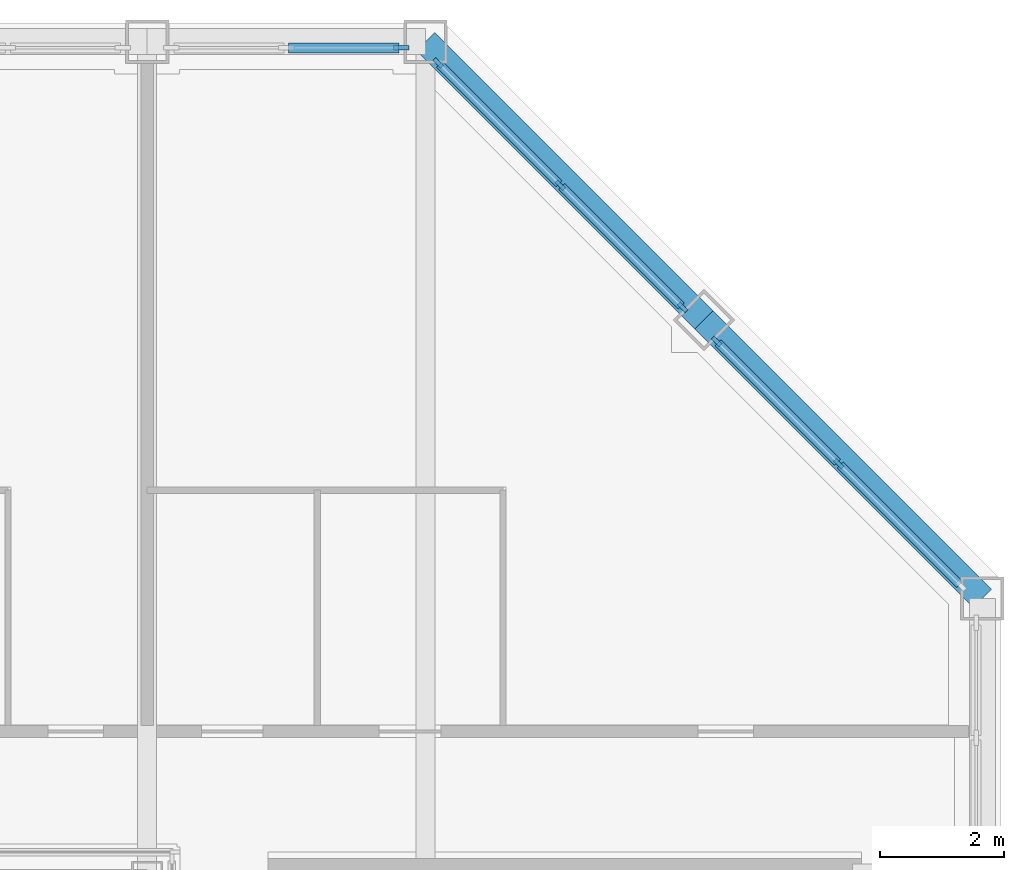
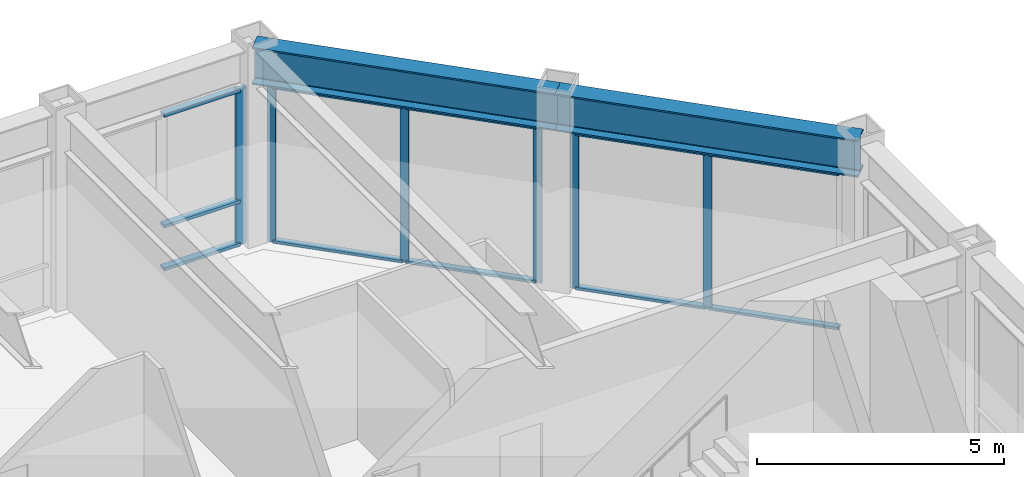
# One storey, part 8 of 15: 17 members, 2 beams, 3 elements without a shape of their own.
"""IFC4 building model written with IfcOpenShell, lengths in metres."""

from ifc_helpers import new_model, si_unit, direction, frame, origin, origin_2d, place, context, subcontext, project, spatial, rectangle, i_section, extrude, material, material_profile, profile_set, type_object, element, aggregate, save


model = new_model("IFC4")

# Units and contexts
model_context = context("Model", 3, precision=1e-05, world=origin(), true_north=direction((0.0, 1.0)))
body_context = subcontext(model_context, "Body", "Model", "MODEL_VIEW")
ifc_project = project(units=[si_unit("LENGTHUNIT", "METRE"), si_unit("AREAUNIT", "SQUARE_METRE"), si_unit("VOLUMEUNIT", "CUBIC_METRE"), si_unit("PLANEANGLEUNIT", "RADIAN"), si_unit("MASSUNIT", "GRAM", prefix="KILO")], contexts=[model_context])

# Site, building, storey
site_placement = place(None, origin())
site = spatial("IfcSite", under=ifc_project, at=site_placement, CompositionType="ELEMENT")
building_placement = place(site_placement, origin())
building = spatial("IfcBuilding", under=site, at=building_placement, Name="Msasa Ring Tower", CompositionType="ELEMENT")
storey_placement = place(building_placement, frame((0.0, 0.0, 195.800048828125)))
storey = spatial("IfcBuildingStorey", under=building, at=storey_placement, Name="L51", CompositionType="ELEMENT", Elevation=195.800048828125)

# Curtain wall, members
ifc_material_1 = material(Name="Aluminium curtain wall with clear glass", Category="aluminium")
curtain_wall_type_1 = type_object("IfcCurtainWallType", Name="CW-C CHAMFER CORNER CURTAIN WALL", PredefinedType="NOTDEFINED", material=ifc_material_1)
curtain_wall_1_placement = place(storey_placement, origin())
curtain_wall_1 = element("IfcCurtainWall", 1, at=curtain_wall_1_placement, inside=storey, type_object=curtain_wall_type_1, Name="Chamfer corner curtain wall NE L51", PredefinedType="NOTDEFINED")
ifc_material_2 = material(Name="Aluminium mullion", Category="aluminium")
ifc_material_profile_1 = material_profile(ifc_material_2, rectangle(XDim=0.06494140625, YDim=0.179931640625, at=origin_2d()), Name="AL 65x180")
ifc_profile_set_1 = profile_set([ifc_material_profile_1], Name="Aluminium mullion")
member_type_1 = type_object("IfcMemberType", Name="CW-C MULLION 65x180", PredefinedType="MULLION", material=ifc_profile_set_1)
member_1_placement = place(storey_placement, frame((15.4052734375, 15.953369140625, 0.0), z_axis=(0.0, 0.0, 1.0), x_axis=(-0.707106781187, -0.707106781187, 0.0)))
member_1 = element("IfcMember", 2, at=member_1_placement, type_object=member_type_1, Name="CW-C mullion 1", PredefinedType="MULLION", context=body_context, shape_type="SweptSolid", body=[
    extrude(rectangle(XDim=0.06494140625, YDim=0.179931640625, at=origin_2d()), origin(), (0.0, 0.0, 1.0), 3.87890625),
])
member_2_placement = place(storey_placement, frame((13.42919921875, 17.92919921875, 0.0), z_axis=(0.0, 0.0, 1.0), x_axis=(-0.707106781187, -0.707106781187, 0.0)))
member_2 = element("IfcMember", 3, at=member_2_placement, type_object=member_type_1, Name="CW-C mullion 2", PredefinedType="MULLION", context=body_context, shape_type="SweptSolid", body=[
    extrude(rectangle(XDim=0.06494140625, YDim=0.179931640625, at=origin_2d()), origin(), (0.0, 0.0, 1.0), 3.87890625),
])
member_3_placement = place(storey_placement, frame((11.453369140625, 19.9052734375, 0.0), z_axis=(0.0, 0.0, 1.0), x_axis=(-0.707106781187, -0.707106781187, 0.0)))
member_3 = element("IfcMember", 4, at=member_3_placement, type_object=member_type_1, Name="CW-C mullion 3", PredefinedType="MULLION", context=body_context, shape_type="SweptSolid", body=[
    extrude(rectangle(XDim=0.06494140625, YDim=0.179931640625, at=origin_2d()), origin(), (0.0, 0.0, 1.0), 3.87890625),
])

curtain_wall_2_placement = place(storey_placement, origin())
curtain_wall_2 = element("IfcCurtainWall", 5, at=curtain_wall_2_placement, inside=storey, type_object=curtain_wall_type_1, Name="Chamfer corner curtain wall NE L51", PredefinedType="NOTDEFINED")
member_4_placement = place(storey_placement, frame((17.92919921875, 13.42919921875, 0.0), z_axis=(0.0, 0.0, 1.0), x_axis=(-0.707106781187, -0.707106781187, 0.0)))
member_4 = element("IfcMember", 6, at=member_4_placement, type_object=member_type_1, Name="CW-C mullion 2", PredefinedType="MULLION", context=body_context, shape_type="SweptSolid", body=[
    extrude(rectangle(XDim=0.06494140625, YDim=0.179931640625, at=origin_2d()), origin(), (0.0, 0.0, 1.0), 3.87890625),
])
member_5_placement = place(storey_placement, frame((15.953369140625, 15.4052734375, 0.0), z_axis=(0.0, 0.0, 1.0), x_axis=(-0.707106781187, -0.707106781187, 0.0)))
member_5 = element("IfcMember", 7, at=member_5_placement, type_object=member_type_1, Name="CW-C mullion 3", PredefinedType="MULLION", context=body_context, shape_type="SweptSolid", body=[
    extrude(rectangle(XDim=0.06494140625, YDim=0.179931640625, at=origin_2d()), origin(), (0.0, 0.0, 1.0), 3.87890625),
])

# Member
ifc_material_3 = material(Name="Aluminium transom", Category="aluminium")
ifc_material_profile_2 = material_profile(ifc_material_3, rectangle(XDim=0.139892578125, YDim=0.06494140625, at=origin_2d()), Name="AL 65x140")
ifc_profile_set_2 = profile_set([ifc_material_profile_2], Name="Aluminium transom")
member_type_2 = type_object("IfcMemberType", Name="CW-C TRANSOM 65x140", PredefinedType="USERDEFINED", material=ifc_profile_set_2)
member_6_placement = place(storey_placement, frame((15.38232421875, 15.976318359375, 0.032470703125), z_axis=(-0.707106781187, 0.707106781187, 0.0), x_axis=(-0.707106781187, -0.707106781187, 0.0)))
member_6 = element("IfcMember", 8, at=member_6_placement, type_object=member_type_2, Name="CW-C transom 1.1", ObjectType="TRANSOM", PredefinedType="USERDEFINED", context=body_context, shape_type="SweptSolid", body=[
    extrude(rectangle(XDim=0.139892578125, YDim=0.06494140625, at=origin_2d()), origin(), (0.0, 0.0, 1.0), 2.729248046875),
])

member_7_placement = place(storey_placement, frame((15.38232421875, 15.976318359375, 3.846435546875), z_axis=(-0.707106781187, 0.707106781187, 0.0), x_axis=(-0.707106781187, -0.707106781187, 0.0)))
member_7 = element("IfcMember", 9, at=member_7_placement, type_object=member_type_2, Name="CW-C transom 1.2", ObjectType="TRANSOM", PredefinedType="USERDEFINED", context=body_context, shape_type="SweptSolid", body=[
    extrude(rectangle(XDim=0.139892578125, YDim=0.06494140625, at=origin_2d()), origin(), (0.0, 0.0, 1.0), 2.729248046875),
])

member_8_placement = place(storey_placement, frame((13.40625, 17.952392578125, 0.032470703125), z_axis=(-0.707106781187, 0.707106781187, 0.0), x_axis=(-0.707106781187, -0.707106781187, 0.0)))
member_8 = element("IfcMember", 10, at=member_8_placement, type_object=member_type_2, Name="CW-C transom 2.1", ObjectType="TRANSOM", PredefinedType="USERDEFINED", context=body_context, shape_type="SweptSolid", body=[
    extrude(rectangle(XDim=0.139892578125, YDim=0.06494140625, at=origin_2d()), origin(), (0.0, 0.0, 1.0), 2.729248046875),
])

member_9_placement = place(storey_placement, frame((13.40625, 17.952392578125, 3.846435546875), z_axis=(-0.707106781187, 0.707106781187, 0.0), x_axis=(-0.707106781187, -0.707106781187, 0.0)))
member_9 = element("IfcMember", 11, at=member_9_placement, type_object=member_type_2, Name="CW-C transom 2.2", ObjectType="TRANSOM", PredefinedType="USERDEFINED", context=body_context, shape_type="SweptSolid", body=[
    extrude(rectangle(XDim=0.139892578125, YDim=0.06494140625, at=origin_2d()), origin(), (0.0, 0.0, 1.0), 2.729248046875),
])

aggregate(curtain_wall_1, [member_1, member_2, member_3, member_6, member_7, member_8, member_9])

member_10_placement = place(storey_placement, frame((19.88232421875, 11.476318359375, 0.032470703125), z_axis=(-0.707106781187, 0.707106781187, 0.0), x_axis=(-0.707106781187, -0.707106781187, 0.0)))
member_10 = element("IfcMember", 12, at=member_10_placement, type_object=member_type_2, Name="CW-C transom 1.1", ObjectType="TRANSOM", PredefinedType="USERDEFINED", context=body_context, shape_type="SweptSolid", body=[
    extrude(rectangle(XDim=0.139892578125, YDim=0.06494140625, at=origin_2d()), origin(), (0.0, 0.0, 1.0), 2.729248046875),
])

member_11_placement = place(storey_placement, frame((19.88232421875, 11.476318359375, 3.846435546875), z_axis=(-0.707106781187, 0.707106781187, 0.0), x_axis=(-0.707106781187, -0.707106781187, 0.0)))
member_11 = element("IfcMember", 13, at=member_11_placement, type_object=member_type_2, Name="CW-C transom 1.2", ObjectType="TRANSOM", PredefinedType="USERDEFINED", context=body_context, shape_type="SweptSolid", body=[
    extrude(rectangle(XDim=0.139892578125, YDim=0.06494140625, at=origin_2d()), origin(), (0.0, 0.0, 1.0), 2.729248046875),
])

member_12_placement = place(storey_placement, frame((17.90625, 13.452392578125, 0.032470703125), z_axis=(-0.707106781187, 0.707106781187, 0.0), x_axis=(-0.707106781187, -0.707106781187, 0.0)))
member_12 = element("IfcMember", 14, at=member_12_placement, type_object=member_type_2, Name="CW-C transom 2.1", ObjectType="TRANSOM", PredefinedType="USERDEFINED", context=body_context, shape_type="SweptSolid", body=[
    extrude(rectangle(XDim=0.139892578125, YDim=0.06494140625, at=origin_2d()), origin(), (0.0, 0.0, 1.0), 2.729248046875),
])

member_13_placement = place(storey_placement, frame((17.90625, 13.452392578125, 3.846435546875), z_axis=(-0.707106781187, 0.707106781187, 0.0), x_axis=(-0.707106781187, -0.707106781187, 0.0)))
member_13 = element("IfcMember", 15, at=member_13_placement, type_object=member_type_2, Name="CW-C transom 2.2", ObjectType="TRANSOM", PredefinedType="USERDEFINED", context=body_context, shape_type="SweptSolid", body=[
    extrude(rectangle(XDim=0.139892578125, YDim=0.06494140625, at=origin_2d()), origin(), (0.0, 0.0, 1.0), 2.729248046875),
])

aggregate(curtain_wall_2, [member_4, member_5, member_10, member_11, member_12, member_13])

# Curtain wall, members
ifc_material_4 = material(Name="Aluminium curtain wall with clear glass", Category="aluminium")
curtain_wall_type_2 = type_object("IfcCurtainWallType", Name="CW-S SKY LOBBY CURTAIN WALL", PredefinedType="NOTDEFINED", material=ifc_material_4)
curtain_wall_3_placement = place(storey_placement, origin())
curtain_wall_3 = element("IfcCurtainWall", 16, at=curtain_wall_3_placement, inside=storey, type_object=curtain_wall_type_2, Name="Sky lobby curtain wall N L51", PredefinedType="NOTDEFINED")
ifc_material_5 = material(Name="Aluminium mullion", Category="aluminium")
ifc_material_profile_3 = material_profile(ifc_material_5, rectangle(XDim=0.074951171875, YDim=0.25, at=origin_2d()), Name="AL 75x250")
ifc_profile_set_3 = profile_set([ifc_material_profile_3], Name="Aluminium mullion")
member_type_3 = type_object("IfcMemberType", Name="CW-S MULLION 75x250", PredefinedType="MULLION", material=ifc_profile_set_3)
member_14_placement = place(storey_placement, frame((10.857421875, 20.14990234375, 0.0), z_axis=(0.0, 0.0, 1.0), x_axis=(0.0, 1.0, 0.0)))
member_14 = element("IfcMember", 17, at=member_14_placement, type_object=member_type_3, Name="CW-S mullion 3", PredefinedType="MULLION", context=body_context, shape_type="SweptSolid", body=[
    extrude(rectangle(XDim=0.074951171875, YDim=0.25, at=origin_2d()), origin(), (0.0, 0.0, 1.0), 3.87890625),
])
ifc_material_6 = material(Name="Aluminium transom", Category="aluminium")
ifc_material_profile_4 = material_profile(ifc_material_6, rectangle(XDim=0.159912109375, YDim=0.074951171875, at=origin_2d()), Name="AL 75x160")
ifc_profile_set_4 = profile_set([ifc_material_profile_4], Name="Aluminium transom")
member_type_4 = type_object("IfcMemberType", Name="CW-S TRANSOM 75x160", PredefinedType="USERDEFINED", material=ifc_profile_set_4)
member_15_placement = place(storey_placement, frame((9.03759765625, 20.14990234375, 0.037353515625), z_axis=(1.0, 0.0, 0.0), x_axis=(0.0, 1.0, 0.0)))
member_15 = element("IfcMember", 18, at=member_15_placement, type_object=member_type_4, Name="CW-S transom 2.1", ObjectType="TRANSOM", PredefinedType="USERDEFINED", context=body_context, shape_type="SweptSolid", body=[
    extrude(rectangle(XDim=0.159912109375, YDim=0.074951171875, at=origin_2d()), origin(), (0.0, 0.0, 1.0), 1.782470703125),
])
member_16_placement = place(storey_placement, frame((9.03759765625, 20.14990234375, 1.099853515625), z_axis=(1.0, 0.0, 0.0), x_axis=(0.0, 1.0, 0.0)))
member_16 = element("IfcMember", 19, at=member_16_placement, type_object=member_type_4, Name="CW-S transom 2.2", ObjectType="TRANSOM", PredefinedType="USERDEFINED", context=body_context, shape_type="SweptSolid", body=[
    extrude(rectangle(XDim=0.159912109375, YDim=0.074951171875, at=origin_2d()), origin(), (0.0, 0.0, 1.0), 1.782470703125),
])
member_17_placement = place(storey_placement, frame((9.03759765625, 20.14990234375, 3.841552734375), z_axis=(1.0, 0.0, 0.0), x_axis=(0.0, 1.0, 0.0)))
member_17 = element("IfcMember", 20, at=member_17_placement, type_object=member_type_4, Name="CW-S transom 2.3", ObjectType="TRANSOM", PredefinedType="USERDEFINED", context=body_context, shape_type="SweptSolid", body=[
    extrude(rectangle(XDim=0.159912109375, YDim=0.074951171875, at=origin_2d()), origin(), (0.0, 0.0, 1.0), 1.782470703125),
])
aggregate(curtain_wall_3, [member_14, member_15, member_16, member_17])

# Beams
ifc_material_7 = material(Name="Steel S355", Category="steel")
ifc_material_profile_5 = material_profile(ifc_material_7, i_section(OverallWidth=0.42041015625, OverallDepth=0.9208984375, WebThickness=0.021484375, FlangeThickness=0.03662109375, FilletRadius=0.024169921875, at=origin_2d()), Name="UB 914x419x388")
ifc_profile_set_5 = profile_set([ifc_material_profile_5], Name="Steel S355")
beam_type = type_object("IfcBeamType", Name="SB1 UB 914x419x388", PredefinedType="SPANDREL", material=ifc_profile_set_5)
for number, where, z_axis, x_axis, name in (
    (21, (20.25, 11.25, 4.33935546875), (-0.707106781187, 0.707106781187, 0.0), (-0.707106781187, -0.707106781187, 0.0), "Spandrel E+11.25 to NE under L52"),
    (22, (15.75, 15.75, 4.33935546875), (-0.707106781187, 0.707106781187, 0.0), (-0.707106781187, -0.707106781187, 0.0), "Spandrel NE to N+11.25 under L52"),
):
    element("IfcBeam", number, at=place(storey_placement, frame(where, z_axis=z_axis, x_axis=x_axis)), inside=storey, type_object=beam_type, Name=name, PredefinedType="SPANDREL", context=body_context, shape_type="SweptSolid", body=[
        extrude(i_section(OverallWidth=0.42041015625, OverallDepth=0.9208984375, WebThickness=0.021484375, FlangeThickness=0.03662109375, FilletRadius=0.024169921875, at=origin_2d()), origin(), (0.0, 0.0, 1.0), 6.364013671875),
    ])

save(model, "model.ifc")
